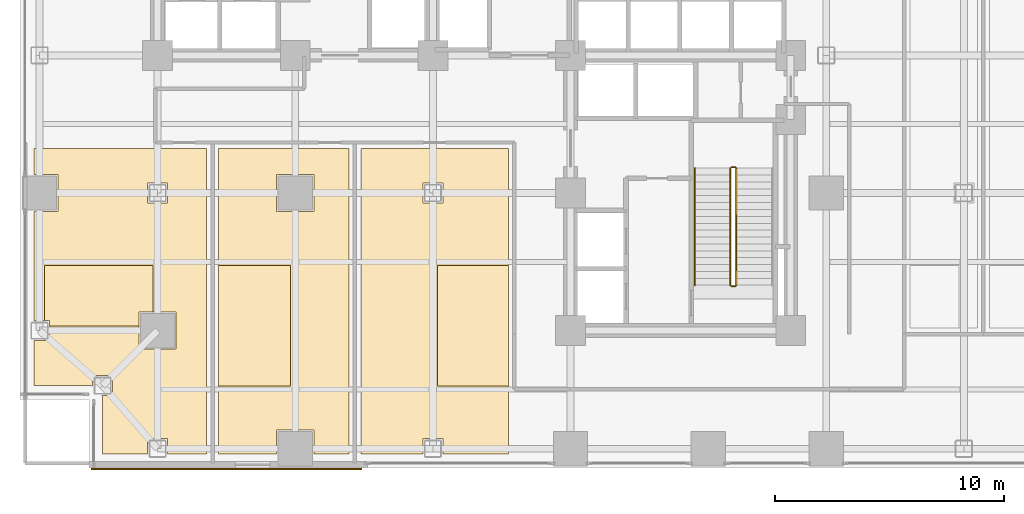
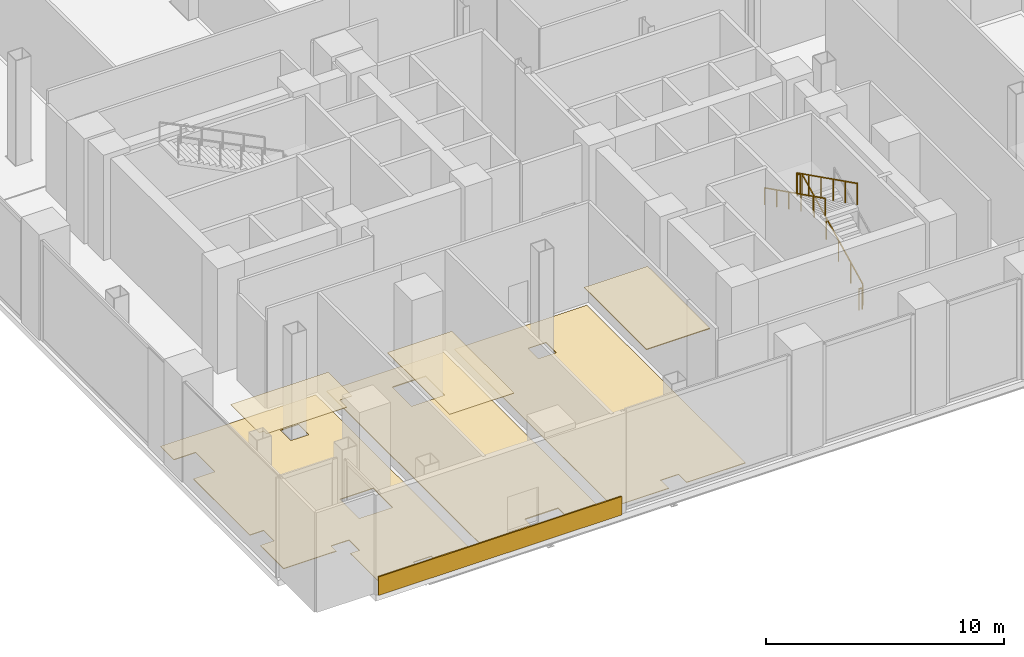
# One storey, part 24 of 27: 7 coverings, 5 railings.
"""IFC4 building model written with IfcOpenShell, lengths in metres."""

from ifc_helpers import new_model, si_unit, direction, frame, origin, origin_2d, place, context, subcontext, project, spatial, polyline, rectangle, outline, extrude, material, layer, layer_set, type_object, element, save


model = new_model("IFC4")

# Units and contexts
model_context = context("Model", 3, precision=1e-05, world=origin(), true_north=direction((0.0, 1.0)))
body_context = subcontext(model_context, "Body", "Model", "MODEL_VIEW")
ifc_project = project(units=[si_unit("LENGTHUNIT", "METRE"), si_unit("AREAUNIT", "SQUARE_METRE"), si_unit("VOLUMEUNIT", "CUBIC_METRE"), si_unit("PLANEANGLEUNIT", "RADIAN"), si_unit("MASSUNIT", "GRAM", prefix="KILO"), si_unit("THERMODYNAMICTEMPERATUREUNIT", "KELVIN"), si_unit("POWERUNIT", "WATT")], contexts=[model_context])

# Site, building, storey
site_placement = place(None, origin())
site = spatial("IfcSite", under=ifc_project, at=site_placement, CompositionType="ELEMENT")
building_placement = place(site_placement, origin())
building = spatial("IfcBuilding", under=site, at=building_placement, Name="Svarakhadi Broadcast Tower", CompositionType="ELEMENT")
storey_placement = place(building_placement, frame((0.0, 0.0, 16.5)))
storey = spatial("IfcBuildingStorey", under=building, at=storey_placement, Name="L03", CompositionType="ELEMENT", Elevation=16.5)

# Coverings
ifc_material_1 = material(Name="Glazed Monsoon Terracotta Rainscreen Tile", Category="masonry")
ifc_layer_1 = layer(ifc_material_1, 0.06494140625)
ifc_layer_set_1 = layer_set([ifc_layer_1], Name="Glazed Monsoon Terracotta Rainscreen Tile")
covering_type_1 = type_object("IfcCoveringType", Name="Cladding_Terracotta_CL01", PredefinedType="CLADDING", material=ifc_layer_set_1)
covering_1_placement = place(storey_placement, origin())
element("IfcCovering", 1, at=covering_1_placement, inside=storey, type_object=covering_type_1, Name="L03 Terracotta Monsoon Spandrel Rainscreen Cladding CL-01", PredefinedType="CLADDING", context=body_context, shape_type="SweptSolid", body=[
    extrude(outline(polyline([(3.10009765625, -0.06494140625), (14.89990234375, -0.06494140625), (14.89990234375, 0.0), (3.10009765625, 0.0), (3.10009765625, -0.06494140625)])), origin(), (0.0, 0.0, 1.0), 0.949951171875),
])
ifc_material_2 = material(Name="Anodised Bronze Aluminium Linear Acoustic Baffle", Category="aluminium")
ifc_layer_2 = layer(ifc_material_2, 0.044921875)
ifc_layer_set_2 = layer_set([ifc_layer_2], Name="Anodised Bronze Aluminium Linear Acoustic Baffle")
covering_type_2 = type_object("IfcCoveringType", Name="Cov_Ceiling_Baffle", PredefinedType="CEILING", material=ifc_layer_set_2)
covering_2_placement = place(storey_placement, frame((0.0, 0.0, 5.080078125)))
element("IfcCovering", 2, at=covering_2_placement, inside=storey, type_object=covering_type_2, Name="L03 L03 Crew Green Room and Pantry Acoustic Ceiling", PredefinedType="CEILING", context=body_context, shape_type="SweptSolid", body=[
    extrude(outline(polyline([(21.2900390625, 3.594970703125), (18.2099609375, 3.594970703125), (18.2099609375, 8.830078125), (21.2900390625, 8.830078125), (21.2900390625, 3.594970703125)])), origin(), (0.0, 0.0, 1.0), 0.044921875),
])
ifc_material_3 = material(Name="Micro-Perforated Mineral Fibre Acoustic Ceiling Tile", Category="mineral_fibre")
ifc_layer_3 = layer(ifc_material_3, 0.02490234375)
ifc_layer_set_3 = layer_set([ifc_layer_3], Name="Micro-Perforated Mineral Fibre Acoustic Ceiling Tile")
covering_type_3 = type_object("IfcCoveringType", Name="Cov_Ceiling_Tile", PredefinedType="CEILING", material=ifc_layer_set_3)
covering_3_placement = place(storey_placement, frame((0.0, 0.0, 5.10009765625)))
element("IfcCovering", 3, at=covering_3_placement, inside=storey, type_object=covering_type_3, Name="L03 L03 Master Control Broadcast Room Acoustic Ceiling", PredefinedType="CEILING", context=body_context, shape_type="SweptSolid", body=[
    extrude(outline(polyline([(1.06005859375, 8.830078125), (5.7900390625, 8.830078125), (5.7900390625, 6.81005859375), (5.18994140625, 6.81005859375), (5.18994140625, 6.2099609375), (3.81005859375, 6.2099609375), (3.389892578125, 6.2099609375), (1.284912109375, 6.2099609375), (1.284912109375, 6.43505859375), (1.06005859375, 6.43505859375), (1.06005859375, 8.830078125)])), origin(), (0.0, 0.0, 1.0), 0.02490234375),
])
covering_4_placement = place(storey_placement, frame((0.0, 0.0, 5.10009765625)))
element("IfcCovering", 4, at=covering_4_placement, inside=storey, type_object=covering_type_3, Name="L03 L03 Audio Post-Production Mixing Room Acoustic Ceiling", PredefinedType="CEILING", context=body_context, shape_type="SweptSolid", body=[
    extrude(outline(polyline([(8.659912109375, 8.830078125), (11.7900390625, 8.830078125), (11.7900390625, 3.594970703125), (8.659912109375, 3.594970703125), (8.659912109375, 8.830078125)])), origin(), (0.0, 0.0, 1.0), 0.02490234375),
])
ifc_material_4 = material(Name="Heavy-Duty Anti-Static Broadcast Raised Access Floor", Category="steel")
ifc_layer_4 = layer(ifc_material_4, 0.050048828125)
ifc_layer_set_4 = layer_set([ifc_layer_4], Name="Heavy-Duty Anti-Static Broadcast Raised Access Floor")
covering_type_4 = type_object("IfcCoveringType", Name="Cov_Floor_Access", PredefinedType="FLOORING", material=ifc_layer_set_4)
covering_5_placement = place(storey_placement, origin())
element("IfcCovering", 5, at=covering_5_placement, inside=storey, type_object=covering_type_4, Name="L03 L03 Audio Post-Production Mixing Room Floor Finish", PredefinedType="FLOORING", context=body_context, shape_type="SweptSolid", body=[
    extrude(outline(polyline([(14.340087890625, 13.93994140625), (14.340087890625, 0.610107421875), (12.81005859375, 0.610107421875), (12.81005859375, 1.659912109375), (11.18994140625, 1.659912109375), (11.18994140625, 0.610107421875), (8.659912109375, 0.610107421875), (8.659912109375, 13.93994140625), (14.340087890625, 13.93994140625)]), holes=[polyline([(11.18994140625, 11.18994140625), (12.81005859375, 11.18994140625), (12.81005859375, 12.81005859375), (11.18994140625, 12.81005859375), (11.18994140625, 11.18994140625)])]), origin(), (0.0, 0.0, 1.0), 0.050048828125),
])
ifc_material_5 = material(Name="Honed Konkan Basalt Stone Tile Flooring", Category="masonry")
ifc_layer_5 = layer(ifc_material_5, 0.034912109375)
ifc_layer_set_5 = layer_set([ifc_layer_5], Name="Honed Konkan Basalt Stone Tile Flooring")
covering_type_5 = type_object("IfcCoveringType", Name="Cov_Floor_Basalt", PredefinedType="FLOORING", material=ifc_layer_set_5)
covering_6_placement = place(storey_placement, origin())
element("IfcCovering", 6, at=covering_6_placement, inside=storey, type_object=covering_type_5, Name="L03 L03 Master Control Broadcast Room Floor Finish", PredefinedType="FLOORING", context=body_context, shape_type="SweptSolid", body=[
    extrude(outline(polyline([(8.139892578125, 0.610107421875), (6.43505859375, 0.610107421875), (6.43505859375, 1.284912109375), (5.56494140625, 1.284912109375), (5.56494140625, 0.610107421875), (3.60009765625, 0.610107421875), (3.60009765625, 3.0), (3.60009765625, 3.009033203125), (3.597900390625, 3.050048828125), (3.595947265625, 3.06689453125), (3.590087890625, 3.10791015625), (3.5869140625, 3.1259765625), (3.576904296875, 3.1650390625), (4.034912109375, 3.1650390625), (4.034912109375, 4.034912109375), (3.1650390625, 4.034912109375), (3.1650390625, 3.576904296875), (3.1259765625, 3.5869140625), (3.10791015625, 3.590087890625), (3.06689453125, 3.595947265625), (3.050048828125, 3.597900390625), (3.009033203125, 3.60009765625), (3.0, 3.60009765625), (0.610107421875, 3.60009765625), (0.610107421875, 5.56494140625), (1.284912109375, 5.56494140625), (1.284912109375, 6.43505859375), (0.610107421875, 6.43505859375), (0.610107421875, 11.18994140625), (1.659912109375, 11.18994140625), (1.659912109375, 12.81005859375), (0.610107421875, 12.81005859375), (0.610107421875, 13.93994140625), (8.139892578125, 13.93994140625), (8.139892578125, 0.610107421875)]), holes=[polyline([(5.18994140625, 5.18994140625), (6.81005859375, 5.18994140625), (6.81005859375, 6.81005859375), (5.18994140625, 6.81005859375), (5.18994140625, 5.18994140625)]), polyline([(5.56494140625, 11.56494140625), (6.43505859375, 11.56494140625), (6.43505859375, 12.43505859375), (5.56494140625, 12.43505859375), (5.56494140625, 11.56494140625)])]), origin(), (0.0, 0.0, 1.0), 0.034912109375),
])
ifc_material_6 = material(Name="Polished White Marble-Chip Terrazzo Flooring", Category="masonry")
ifc_layer_6 = layer(ifc_material_6, 0.030029296875)
ifc_layer_set_6 = layer_set([ifc_layer_6], Name="Polished White Marble-Chip Terrazzo Flooring")
covering_type_6 = type_object("IfcCoveringType", Name="Cov_Floor_Terrazzo", PredefinedType="FLOORING", material=ifc_layer_set_6)
covering_7_placement = place(storey_placement, origin())
element("IfcCovering", 7, at=covering_7_placement, inside=storey, type_object=covering_type_6, Name="L03 L03 Crew Green Room and Pantry Floor Finish", PredefinedType="FLOORING", context=body_context, shape_type="SweptSolid", body=[
    extrude(outline(polyline([(21.2900390625, 13.93994140625), (21.2900390625, 0.610107421875), (18.43505859375, 0.610107421875), (18.43505859375, 1.284912109375), (17.56494140625, 1.284912109375), (17.56494140625, 0.610107421875), (14.860107421875, 0.610107421875), (14.860107421875, 13.93994140625), (21.2900390625, 13.93994140625)]), holes=[polyline([(17.56494140625, 11.56494140625), (18.43505859375, 11.56494140625), (18.43505859375, 12.43505859375), (17.56494140625, 12.43505859375), (17.56494140625, 11.56494140625)])]), origin(), (0.0, 0.0, 1.0), 0.030029296875),
])

# Railings
ifc_material_7 = material(Name="Anodised Bronze Aluminium AA 6063-T6", Category="aluminium")
railing_type_1 = type_object("IfcRailingType", Name="Guard_Stair_GR01", PredefinedType="GUARDRAIL", material=ifc_material_7)
railing_1_placement = place(storey_placement, frame((31.22998046875, 7.97998046875, 0.14990234375)))
element("IfcRailing", 8, at=railing_1_placement, inside=storey, type_object=railing_type_1, Name="L03 ST-02 stair guard 1", PredefinedType="GUARDRAIL", context=body_context, shape_type="SweptSolid", body=[
    extrude(rectangle(XDim=0.048095703125, YDim=0.048095703125, at=origin_2d()), frame((0.0, 0.0, 1.09619140625), z_axis=(0.0, 0.894427191, 0.4472135955), x_axis=(-1.0, 0.0, 0.0)), (0.0, 0.0, 1.0), 5.7021484375),
    extrude(rectangle(XDim=0.0419921875, YDim=0.0419921875, at=origin_2d()), origin(), (0.0, 0.0, 1.0), 1.072021484375),
    extrude(rectangle(XDim=0.0419921875, YDim=0.0419921875, at=origin_2d()), frame((0.0, 1.02001953125, 0.510009765625)), (0.0, 0.0, 1.0), 1.072021484375),
    extrude(rectangle(XDim=0.0419921875, YDim=0.0419921875, at=origin_2d()), frame((0.0, 2.0400390625, 1.02001953125)), (0.0, 0.0, 1.0), 1.072021484375),
    extrude(rectangle(XDim=0.0419921875, YDim=0.0419921875, at=origin_2d()), frame((0.0, 3.06005859375, 1.530029296875)), (0.0, 0.0, 1.0), 1.072021484375),
    extrude(rectangle(XDim=0.0419921875, YDim=0.0419921875, at=origin_2d()), frame((0.0, 4.080078125, 2.0400390625)), (0.0, 0.0, 1.0), 1.072021484375),
    extrude(rectangle(XDim=0.0419921875, YDim=0.0419921875, at=origin_2d()), frame((0.0, 5.10009765625, 2.550048828125)), (0.0, 0.0, 1.0), 1.072021484375),
])
railing_2_placement = place(storey_placement, frame((31.179931640625, 13.1298828125, 2.699951171875)))
element("IfcRailing", 9, at=railing_2_placement, inside=storey, type_object=railing_type_1, Name="L03 ST-02 stair guard 2", PredefinedType="GUARDRAIL", context=body_context, shape_type="SweptSolid", body=[
    extrude(rectangle(XDim=0.048095703125, YDim=0.048095703125, at=origin_2d()), frame((0.0, 0.0, 1.09619140625), z_axis=(-1.0, 0.0, 0.0), x_axis=(0.0, -1.0, 0.0)), (0.0, 0.0, 1.0), 0.159912109375),
    extrude(rectangle(XDim=0.0419921875, YDim=0.0419921875, at=origin_2d()), origin(), (0.0, 0.0, 1.0), 1.072021484375),
    extrude(rectangle(XDim=0.0419921875, YDim=0.0419921875, at=origin_2d()), frame((-0.159912109375, 0.0, 0.0)), (0.0, 0.0, 1.0), 1.072021484375),
])
railing_3_placement = place(storey_placement, frame((30.969970703125, 13.080078125, 2.85009765625)))
element("IfcRailing", 10, at=railing_3_placement, inside=storey, type_object=railing_type_1, Name="L03 ST-02 stair guard 3", PredefinedType="GUARDRAIL", context=body_context, shape_type="SweptSolid", body=[
    extrude(rectangle(XDim=0.048095703125, YDim=0.048095703125, at=origin_2d()), frame((0.0, 0.0, 1.09619140625), z_axis=(0.0, -0.89444431709, 0.44717934168), x_axis=(1.0, 0.0, 0.0)), (0.0, 0.0, 1.0), 5.701904296875),
    extrude(rectangle(XDim=0.0419921875, YDim=0.0419921875, at=origin_2d()), origin(), (0.0, 0.0, 1.0), 1.072021484375),
    extrude(rectangle(XDim=0.0419921875, YDim=0.0419921875, at=origin_2d()), frame((0.0, -1.02001953125, 0.510009765625)), (0.0, 0.0, 1.0), 1.072021484375),
    extrude(rectangle(XDim=0.0419921875, YDim=0.0419921875, at=origin_2d()), frame((0.0, -2.0400390625, 1.02001953125)), (0.0, 0.0, 1.0), 1.072021484375),
    extrude(rectangle(XDim=0.0419921875, YDim=0.0419921875, at=origin_2d()), frame((0.0, -3.06005859375, 1.52978515625)), (0.0, 0.0, 1.0), 1.072021484375),
    extrude(rectangle(XDim=0.0419921875, YDim=0.0419921875, at=origin_2d()), frame((0.0, -4.080078125, 2.039794921875)), (0.0, 0.0, 1.0), 1.072021484375),
    extrude(rectangle(XDim=0.0419921875, YDim=0.0419921875, at=origin_2d()), frame((0.0, -5.10009765625, 2.5498046875)), (0.0, 0.0, 1.0), 1.072021484375),
])
railing_4_placement = place(storey_placement, frame((31.179931640625, 7.929931640625, 0.0)))
element("IfcRailing", 11, at=railing_4_placement, inside=storey, type_object=railing_type_1, Name="L03 ST-02 stair guard 4", PredefinedType="GUARDRAIL", context=body_context, shape_type="SweptSolid", body=[
    extrude(rectangle(XDim=0.048095703125, YDim=0.048095703125, at=origin_2d()), frame((0.0, 0.0, 1.09619140625), z_axis=(-1.0, 0.0, 0.0), x_axis=(0.0, -1.0, 0.0)), (0.0, 0.0, 1.0), 0.159912109375),
    extrude(rectangle(XDim=0.0419921875, YDim=0.0419921875, at=origin_2d()), origin(), (0.0, 0.0, 1.0), 1.072021484375),
    extrude(rectangle(XDim=0.0419921875, YDim=0.0419921875, at=origin_2d()), frame((-0.159912109375, 0.0, 0.0)), (0.0, 0.0, 1.0), 1.072021484375),
])
railing_type_2 = type_object("IfcRailingType", Name="Handrail_Stair_HR01", PredefinedType="HANDRAIL", material=ifc_material_7)
railing_5_placement = place(storey_placement, frame((29.409912109375, 13.080078125, 2.85009765625)))
element("IfcRailing", 12, at=railing_5_placement, inside=storey, type_object=railing_type_2, Name="L03 ST-02 stair handrail 2", PredefinedType="HANDRAIL", context=body_context, shape_type="SweptSolid", body=[
    extrude(rectangle(XDim=0.048095703125, YDim=0.048095703125, at=origin_2d()), frame((0.0, 0.0, 0.8759765625), z_axis=(0.0, -0.89444431709, 0.44717934168), x_axis=(1.0, 0.0, 0.0)), (0.0, 0.0, 1.0), 5.701904296875),
    extrude(rectangle(XDim=0.0419921875, YDim=0.0419921875, at=origin_2d()), origin(), (0.0, 0.0, 1.0), 0.851806640625),
    extrude(rectangle(XDim=0.0419921875, YDim=0.0419921875, at=origin_2d()), frame((0.0, -1.02001953125, 0.510009765625)), (0.0, 0.0, 1.0), 0.851806640625),
    extrude(rectangle(XDim=0.0419921875, YDim=0.0419921875, at=origin_2d()), frame((0.0, -2.0400390625, 1.02001953125)), (0.0, 0.0, 1.0), 0.851806640625),
    extrude(rectangle(XDim=0.0419921875, YDim=0.0419921875, at=origin_2d()), frame((0.0, -3.06005859375, 1.52978515625)), (0.0, 0.0, 1.0), 0.851806640625),
    extrude(rectangle(XDim=0.0419921875, YDim=0.0419921875, at=origin_2d()), frame((0.0, -4.080078125, 2.039794921875)), (0.0, 0.0, 1.0), 0.851806640625),
    extrude(rectangle(XDim=0.0419921875, YDim=0.0419921875, at=origin_2d()), frame((0.0, -5.10009765625, 2.5498046875)), (0.0, 0.0, 1.0), 0.851806640625),
])

save(model, "model.ifc")
